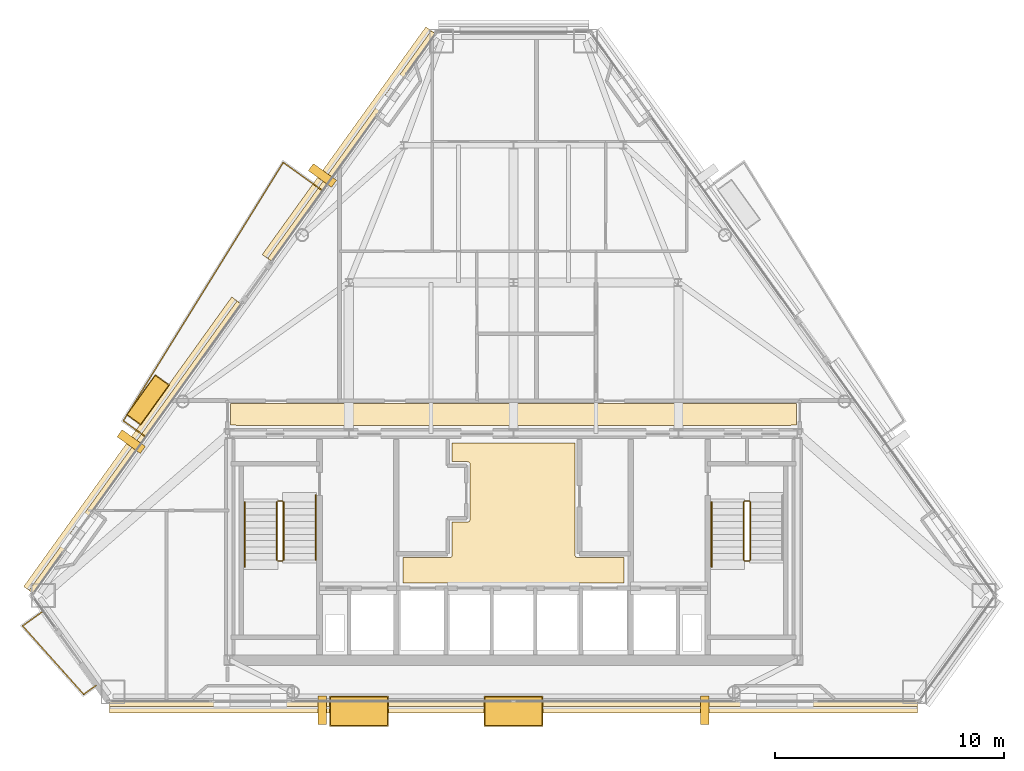
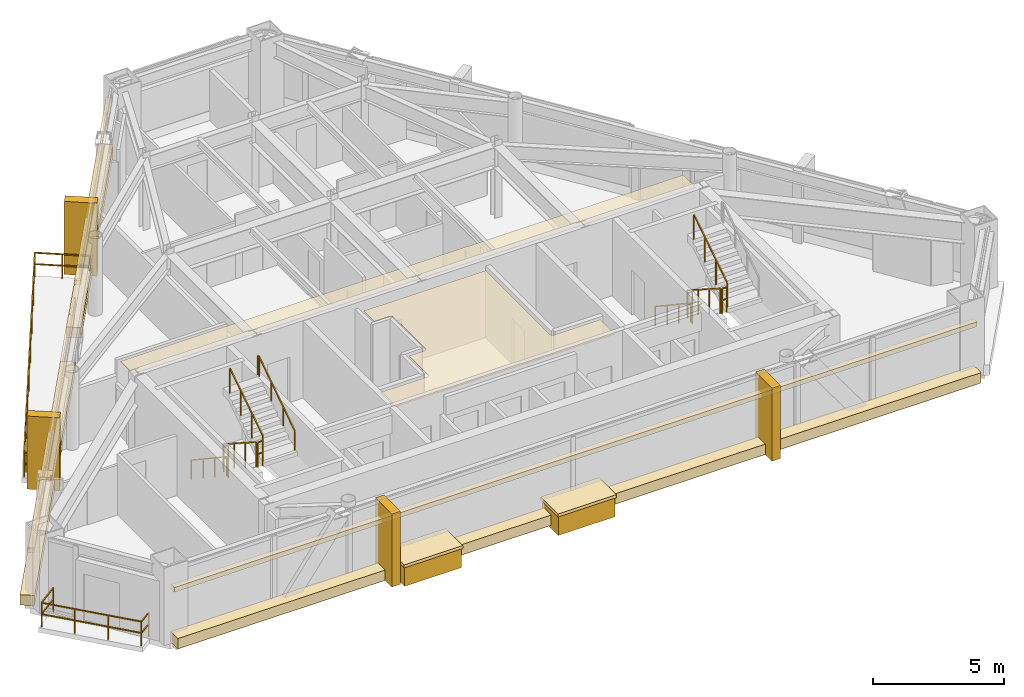
# One storey, part 10 of 11: 18 coverings, 13 railings.
"""IFC4 building model written with IfcOpenShell, lengths in metres."""

from ifc_helpers import new_model, si_unit, direction, frame, origin, origin_2d, place, context, subcontext, project, spatial, polyline, rectangle, outline, extrude, material, layer, layer_set, type_object, element, save


model = new_model("IFC4")

# Units and contexts
model_context = context("Model", 3, precision=1e-05, world=origin(), true_north=direction((0.0, 1.0)))
body_context = subcontext(model_context, "Body", "Model", "MODEL_VIEW")
ifc_project = project(units=[si_unit("LENGTHUNIT", "METRE"), si_unit("AREAUNIT", "SQUARE_METRE"), si_unit("VOLUMEUNIT", "CUBIC_METRE"), si_unit("PLANEANGLEUNIT", "RADIAN"), si_unit("MASSUNIT", "GRAM", prefix="KILO")], contexts=[model_context])

# Site, building, storey
site_placement = place(None, origin())
site = spatial("IfcSite", under=ifc_project, at=site_placement, CompositionType="ELEMENT")
building_placement = place(site_placement, origin())
building = spatial("IfcBuilding", under=site, at=building_placement, Name="Talgorran Terracotta Tower", CompositionType="ELEMENT")
storey_placement = place(building_placement, frame((0.0, 0.0, 210.89990234375)))
storey = spatial("IfcBuildingStorey", under=building, at=storey_placement, Name="L55", CompositionType="ELEMENT", Elevation=210.89990234375)

# Coverings
ifc_material_1 = material(Name="Kiln-Fired Terracotta Ochre Ceramic", Category="masonry")
ifc_layer_1 = layer(ifc_material_1, 0.179931640625, Name="COV_BAGUETTE_TERRACOTTA_SCREEN")
ifc_layer_set_1 = layer_set([ifc_layer_1], Name="Kiln-Fired Terracotta Ochre Ceramic")
covering_type_1 = type_object("IfcCoveringType", Name="COV_BAGUETTE_TERRACOTTA_SCREEN", PredefinedType="CLADDING", material=ifc_layer_set_1)
covering_1_placement = place(storey_placement, frame((0.0, -15.99658203125, 2.41015625), z_axis=(0.0, 0.0, 1.0), x_axis=(1.0, 0.0, 0.0)))
element("IfcCovering", 1, at=covering_1_placement, inside=storey, type_object=covering_type_1, Name="L55 Terracotta Baguette Solar Screen Assembly F1", PredefinedType="CLADDING", context=body_context, shape_type="SweptSolid", body=[
    extrude(rectangle(XDim=35.291748046875, YDim=0.260009765625, at=origin_2d()), origin(), (0.0, 0.0, 1.0), 0.219970703125),
])
covering_2_placement = place(storey_placement, frame((-7.0654296875, 8.350341796875, 2.41015625), z_axis=(0.0, 0.0, 1.0), x_axis=(-0.583555384799, -0.812073342053, 0.0)))
element("IfcCovering", 2, at=covering_2_placement, inside=storey, type_object=covering_type_1, Name="L55 Terracotta Baguette Solar Screen Assembly F60", PredefinedType="CLADDING", context=body_context, shape_type="SweptSolid", body=[
    extrude(rectangle(XDim=12.236083984375, YDim=0.260009765625, at=origin_2d()), origin(), (0.0, 0.0, 1.0), 0.219970703125),
])
covering_3_placement = place(storey_placement, frame((-16.517822265625, -4.8037109375, 2.41015625), z_axis=(0.0, 0.0, 1.0), x_axis=(-0.583555384799, -0.812073342053, 0.0)))
element("IfcCovering", 3, at=covering_3_placement, inside=storey, type_object=covering_type_1, Name="L55 Terracotta Baguette Solar Screen Assembly F61", PredefinedType="CLADDING", context=body_context, shape_type="SweptSolid", body=[
    extrude(rectangle(XDim=15.560302734375, YDim=0.260009765625, at=origin_2d()), origin(), (0.0, 0.0, 1.0), 0.219970703125),
])
ifc_material_2 = material(Name="Mineral Fibre Acoustic Tile")
ifc_layer_2 = layer(ifc_material_2, 0.02490234375, Name="COV_CEIL_ACOUSTIC")
ifc_layer_set_2 = layer_set([ifc_layer_2], Name="Mineral Fibre Acoustic Tile")
covering_type_2 = type_object("IfcCoveringType", Name="COV_CEIL_ACOUSTIC", PredefinedType="CEILING", material=ifc_layer_set_2)
covering_4_placement = place(storey_placement, frame((0.0, 0.0, 3.255126953125)))
element("IfcCovering", 4, at=covering_4_placement, inside=storey, type_object=covering_type_2, Name="CEIL-L55-2", PredefinedType="CEILING", context=body_context, shape_type="SweptSolid", body=[
    extrude(outline(polyline([(-12.364990234375, -2.885009765625), (12.364990234375, -2.885009765625), (12.364990234375, -3.830078125), (12.169921875, -3.830078125), (12.158203125, -3.83056640625), (12.146484375, -3.832275390625), (12.13525390625, -3.835205078125), (12.1240234375, -3.839111328125), (12.11328125, -3.84423828125), (12.112060546875, -3.844970703125), (7.432861328125, -3.844970703125), (6.968017578125, -3.843017578125), (6.967529296875, -3.843017578125), (0.232666015625, -3.844970703125), (-0.23193359375, -3.843017578125), (-0.232421875, -3.843017578125), (-6.96728515625, -3.844970703125), (-7.431884765625, -3.843017578125), (-7.4326171875, -3.843017578125), (-12.112060546875, -3.844970703125), (-12.11328125, -3.84423828125), (-12.1240234375, -3.839111328125), (-12.13525390625, -3.835205078125), (-12.146484375, -3.832275390625), (-12.158203125, -3.83056640625), (-12.169921875, -3.830078125), (-12.364990234375, -3.830078125), (-12.364990234375, -2.885009765625)])), origin(), (0.0, 0.0, 1.0), 0.02001953125),
])
ifc_material_3 = material(Name="Flush Moisture-Resistant Plaster")
ifc_layer_3 = layer(ifc_material_3, 0.01806640625, Name="COV_CEIL_PLASTER")
ifc_layer_set_3 = layer_set([ifc_layer_3], Name="Flush Moisture-Resistant Plaster")
covering_type_3 = type_object("IfcCoveringType", Name="COV_CEIL_PLASTER", PredefinedType="CEILING", material=ifc_layer_set_3)
covering_5_placement = place(storey_placement, frame((0.0, 0.0, 3.255126953125)))
element("IfcCovering", 5, at=covering_5_placement, inside=storey, type_object=covering_type_3, Name="CEIL-L55-1", PredefinedType="CEILING", context=body_context, shape_type="SweptSolid", body=[
    extrude(outline(polyline([(2.679931640625, -4.6201171875), (2.679931640625, -9.5), (2.6806640625, -9.51171875), (2.682373046875, -9.5234375), (2.685302734375, -9.534912109375), (2.689208984375, -9.5458984375), (2.694091796875, -9.556640625), (2.7001953125, -9.566650390625), (2.707275390625, -9.576171875), (2.715087890625, -9.5849609375), (2.723876953125, -9.5927734375), (2.7333984375, -9.599853515625), (2.743408203125, -9.605712890625), (2.754150390625, -9.61083984375), (2.76513671875, -9.61474609375), (2.776611328125, -9.61767578125), (2.7880859375, -9.619384765625), (2.800048828125, -9.6201171875), (4.830078125, -9.6201171875), (4.830078125, -10.72998046875), (-4.830078125, -10.72998046875), (-4.830078125, -9.6201171875), (-2.800048828125, -9.6201171875), (-2.7880859375, -9.619384765625), (-2.776611328125, -9.61767578125), (-2.76513671875, -9.61474609375), (-2.754150390625, -9.61083984375), (-2.743408203125, -9.605712890625), (-2.7333984375, -9.599853515625), (-2.723876953125, -9.5927734375), (-2.715087890625, -9.5849609375), (-2.707275390625, -9.576171875), (-2.7001953125, -9.566650390625), (-2.694091796875, -9.556640625), (-2.689208984375, -9.5458984375), (-2.685302734375, -9.534912109375), (-2.682373046875, -9.5234375), (-2.6806640625, -9.51171875), (-2.679931640625, -9.5), (-2.679931640625, -8.070068359375), (-2.02001953125, -8.070068359375), (-2.00830078125, -8.0693359375), (-1.99658203125, -8.067626953125), (-1.985107421875, -8.064697265625), (-1.97412109375, -8.060791015625), (-1.96337890625, -8.055908203125), (-1.953369140625, -8.0498046875), (-1.94384765625, -8.042724609375), (-1.93505859375, -8.034912109375), (-1.92724609375, -8.026123046875), (-1.920166015625, -8.0166015625), (-1.914306640625, -8.006591796875), (-1.9091796875, -7.995849609375), (-1.9052734375, -7.98486328125), (-1.90234375, -7.973388671875), (-1.900634765625, -7.9619140625), (-1.89990234375, -7.949951171875), (-1.89990234375, -5.550048828125), (-1.900634765625, -5.5380859375), (-1.90234375, -5.526611328125), (-1.9052734375, -5.51513671875), (-1.9091796875, -5.504150390625), (-1.914306640625, -5.493408203125), (-1.920166015625, -5.4833984375), (-1.92724609375, -5.473876953125), (-1.93505859375, -5.465087890625), (-1.94384765625, -5.457275390625), (-1.953369140625, -5.4501953125), (-1.96337890625, -5.444091796875), (-1.97412109375, -5.439208984375), (-1.985107421875, -5.435302734375), (-1.99658203125, -5.432373046875), (-2.00830078125, -5.4306640625), (-2.02001953125, -5.429931640625), (-2.679931640625, -5.429931640625), (-2.679931640625, -4.6201171875), (2.679931640625, -4.6201171875)])), origin(), (0.0, 0.0, 1.0), 0.02001953125),
])
ifc_material_4 = material(Name="Honed Limestone and Terracotta Planter", Category="masonry")
ifc_layer_4 = layer(ifc_material_4, 0.1201171875, Name="COV_PLANTER_BOX")
ifc_layer_set_4 = layer_set([ifc_layer_4], Name="Honed Limestone and Terracotta Planter")
covering_type_4 = type_object("IfcCoveringType", Name="COV_PLANTER_BOX", PredefinedType="CLADDING", material=ifc_layer_set_4)
for number, where, z_axis, x_axis, name in (
    (6, (-6.75537109375, -16.336669921875, -0.179931640625), (0.0, 0.0, 1.0), (1.0, 0.0, 0.0), "L55 Staggered South Facade Planter Box 1"),
    (7, (0.0, -16.336669921875, -0.179931640625), (0.0, 0.0, 1.0), (1.0, 0.0, 0.0), "L55 Staggered South Facade Planter Box 2"),
):
    element("IfcCovering", number, at=place(storey_placement, frame(where, z_axis=z_axis, x_axis=x_axis)), inside=storey, type_object=covering_type_4, Name=name, PredefinedType="CLADDING", context=body_context, shape_type="SweptSolid", body=[
        extrude(rectangle(XDim=2.5, YDim=1.25, at=origin_2d()), origin(), (0.0, 0.0, 1.0), 0.919921875),
    ])
covering_6_placement = place(storey_placement, frame((-15.973876953125, -2.7275390625, -0.02001953125), z_axis=(0.0, 0.0, 1.0), x_axis=(-0.583555384799, -0.812073342053, 0.0)))
element("IfcCovering", 8, at=covering_6_placement, inside=storey, type_object=covering_type_4, Name="L55 Staggered Balcony Planter Box BAL-NW", PredefinedType="CLADDING", context=body_context, shape_type="SweptSolid", body=[
    extrude(rectangle(XDim=2.10009765625, YDim=0.719970703125, at=origin_2d()), origin(), (0.0, 0.0, 1.0), 0.860107421875),
])
ifc_material_5 = material(Name="Kiln-Fired Terracotta Planter Rim", Category="masonry")
ifc_layer_5 = layer(ifc_material_5, 0.10009765625, Name="COV_PLANTER_RIM")
ifc_layer_set_5 = layer_set([ifc_layer_5], Name="Kiln-Fired Terracotta Planter Rim")
covering_type_5 = type_object("IfcCoveringType", Name="COV_PLANTER_RIM", PredefinedType="CLADDING", material=ifc_layer_set_5)
for number, where, z_axis, x_axis, name in (
    (9, (-6.75537109375, -16.336669921875, 0.7099609375), (0.0, 0.0, 1.0), (1.0, 0.0, 0.0), "L55 South Planter Terracotta Rim 1"),
    (10, (0.0, -16.336669921875, 0.7099609375), (0.0, 0.0, 1.0), (1.0, 0.0, 0.0), "L55 South Planter Terracotta Rim 2"),
):
    element("IfcCovering", number, at=place(storey_placement, frame(where, z_axis=z_axis, x_axis=x_axis)), inside=storey, type_object=covering_type_5, Name=name, PredefinedType="CLADDING", context=body_context, shape_type="SweptSolid", body=[
        extrude(rectangle(XDim=2.580078125, YDim=1.320068359375, at=origin_2d()), origin(), (0.0, 0.0, 1.0), 0.139892578125),
    ])
covering_7_placement = place(storey_placement, frame((-15.973876953125, -2.7275390625, 0.800048828125), z_axis=(0.0, 0.0, 1.0), x_axis=(-0.583555384799, -0.812073342053, 0.0)))
element("IfcCovering", 11, at=covering_7_placement, inside=storey, type_object=covering_type_5, Name="L55 Balcony Planter Terracotta Rim BAL-NW", PredefinedType="CLADDING", context=body_context, shape_type="SweptSolid", body=[
    extrude(rectangle(XDim=2.179931640625, YDim=0.780029296875, at=origin_2d()), origin(), (0.0, 0.0, 1.0), 0.1201171875),
])
ifc_material_6 = material(Name="Honed Limestone Cladding", Category="masonry")
ifc_layer_6 = layer(ifc_material_6, 0.094970703125, Name="COV_PORTAL_LIME")
ifc_layer_set_6 = layer_set([ifc_layer_6], Name="Honed Limestone Cladding")
covering_type_6 = type_object("IfcCoveringType", Name="COV_PORTAL_LIME", PredefinedType="CLADDING", material=ifc_layer_set_6)
for number, where, z_axis, x_axis, name in (
    (12, (-8.35546875, -16.296630859375, -0.0498046875), (0.0, 0.0, 1.0), (1.0, 0.0, 0.0), "L55 White Striped Portal Fin F1-1"),
    (13, (-8.349609375, 7.0771484375, -0.0498046875), (0.0, 0.0, 1.0), (-0.583555384799, -0.812073342053, 0.0), "L55 White Striped Portal Fin F5-1"),
):
    element("IfcCovering", number, at=place(storey_placement, frame(where, z_axis=z_axis, x_axis=x_axis)), inside=storey, type_object=covering_type_6, Name=name, PredefinedType="CLADDING", context=body_context, shape_type="SweptSolid", body=[
        extrude(rectangle(XDim=0.3798828125, YDim=1.25, at=origin_2d()), origin(), (0.0, 0.0, 1.0), 3.39501953125),
    ])
ifc_material_7 = material(Name="Kiln-Fired Terracotta Cladding", Category="masonry")
ifc_layer_7 = layer(ifc_material_7, 0.090087890625, Name="COV_PORTAL_TERRA")
ifc_layer_set_7 = layer_set([ifc_layer_7], Name="Kiln-Fired Terracotta Cladding")
covering_type_7 = type_object("IfcCoveringType", Name="COV_PORTAL_TERRA", PredefinedType="CLADDING", material=ifc_layer_set_7)
covering_8_placement = place(storey_placement, frame((0.0, -16.13671875, -0.039794921875), z_axis=(0.0, 0.0, 1.0), x_axis=(1.0, 0.0, 0.0)))
element("IfcCovering", 14, at=covering_8_placement, inside=storey, type_object=covering_type_7, Name="L55 Striped Postmodern Portal Cladding Band F1", PredefinedType="CLADDING", context=body_context, shape_type="SweptSolid", body=[
    extrude(rectangle(XDim=35.311767578125, YDim=0.56005859375, at=origin_2d()), origin(), (0.0, 0.0, 1.0), 0.47998046875),
])
covering_9_placement = place(storey_placement, frame((-7.178955078125, 8.43212890625, -0.039794921875), z_axis=(0.0, 0.0, 1.0), x_axis=(-0.583555384799, -0.812073342053, 0.0)))
element("IfcCovering", 15, at=covering_9_placement, inside=storey, type_object=covering_type_7, Name="L55 Striped Postmodern Portal Cladding Band F60", PredefinedType="CLADDING", context=body_context, shape_type="SweptSolid", body=[
    extrude(rectangle(XDim=12.256103515625, YDim=0.56005859375, at=origin_2d()), origin(), (0.0, 0.0, 1.0), 0.47998046875),
])
covering_10_placement = place(storey_placement, frame((-16.631591796875, -4.72216796875, -0.039794921875), z_axis=(0.0, 0.0, 1.0), x_axis=(-0.583555384799, -0.812073342053, 0.0)))
element("IfcCovering", 16, at=covering_10_placement, inside=storey, type_object=covering_type_7, Name="L55 Striped Postmodern Portal Cladding Band F61", PredefinedType="CLADDING", context=body_context, shape_type="SweptSolid", body=[
    extrude(rectangle(XDim=15.580322265625, YDim=0.56005859375, at=origin_2d()), origin(), (0.0, 0.0, 1.0), 0.47998046875),
])
for number, where, z_axis, x_axis, name in (
    (17, (8.35546875, -16.296630859375, -0.0498046875), (0.0, 0.0, 1.0), (1.0, 0.0, 0.0), "L55 Terracotta Striped Portal Fin F1-2"),
    (18, (-16.705078125, -4.55029296875, -0.0498046875), (0.0, 0.0, 1.0), (-0.583555384799, -0.812073342053, 0.0), "L55 Terracotta Striped Portal Fin F5-2"),
):
    element("IfcCovering", number, at=place(storey_placement, frame(where, z_axis=z_axis, x_axis=x_axis)), inside=storey, type_object=covering_type_7, Name=name, PredefinedType="CLADDING", context=body_context, shape_type="SweptSolid", body=[
        extrude(rectangle(XDim=0.3798828125, YDim=1.25, at=origin_2d()), origin(), (0.0, 0.0, 1.0), 3.39501953125),
    ])

# Railings
ifc_material_8 = material(Name="Laminated Glass and Stainless Steel 316", Category="steel")
railing_type_1 = type_object("IfcRailingType", Name="RL_BALCONY_1150", PredefinedType="BALUSTRADE", material=ifc_material_8)
railing_1_placement = place(storey_placement, frame((-8.3544921875, 6.419189453125, 0.0)))
element("IfcRailing", 19, at=railing_1_placement, inside=storey, type_object=railing_type_1, Name="RL-L55-BAL-BAL-NW", PredefinedType="BALUSTRADE", context=body_context, shape_type="SweptSolid", body=[
    extrude(rectangle(XDim=0.048095703125, YDim=0.048095703125, at=origin_2d()), frame((0.0, 0.0, 1.1259765625), z_axis=(-0.812066955595, 0.583564272065, 0.0), x_axis=(-0.583564272065, -0.812066955595, 0.0)), (0.0, 0.0, 1.0), 2.102783203125),
    extrude(rectangle(XDim=0.048095703125, YDim=0.048095703125, at=origin_2d()), frame((0.0, 0.0, 0.597900390625), z_axis=(-0.812066955595, 0.583564272065, 0.0), x_axis=(-0.583564272065, -0.812066955595, 0.0)), (0.0, 0.0, 1.0), 2.102783203125),
    extrude(rectangle(XDim=0.048095703125, YDim=0.048095703125, at=origin_2d()), frame((-1.70751953125, 1.22705078125, 1.1259765625), z_axis=(-0.526168473282, -0.850380348858, 0.0), x_axis=(0.850380348858, -0.526168473282, 0.0)), (0.0, 0.0, 1.0), 13.27587890625),
    extrude(rectangle(XDim=0.048095703125, YDim=0.048095703125, at=origin_2d()), frame((-1.70751953125, 1.22705078125, 0.597900390625), z_axis=(-0.526168473282, -0.850380348858, 0.0), x_axis=(0.850380348858, -0.526168473282, 0.0)), (0.0, 0.0, 1.0), 13.27587890625),
    extrude(rectangle(XDim=0.048095703125, YDim=0.048095703125, at=origin_2d()), frame((-8.69287109375, -10.0625, 1.1259765625), z_axis=(0.812216313414, -0.583356374976, 0.0), x_axis=(0.583356374976, 0.812216313414, 0.0)), (0.0, 0.0, 1.0), 1.187255859375),
    extrude(rectangle(XDim=0.048095703125, YDim=0.048095703125, at=origin_2d()), frame((-8.69287109375, -10.0625, 0.597900390625), z_axis=(0.812216313414, -0.583356374976, 0.0), x_axis=(0.583356374976, 0.812216313414, 0.0)), (0.0, 0.0, 1.0), 1.187255859375),
    extrude(rectangle(XDim=0.0419921875, YDim=0.0419921875, at=origin_2d()), origin(), (0.0, 0.0, 1.0), 1.101806640625),
    extrude(rectangle(XDim=0.0419921875, YDim=0.0419921875, at=origin_2d()), frame((-0.853759765625, 0.613525390625, 0.0)), (0.0, 0.0, 1.0), 1.101806640625),
    extrude(rectangle(XDim=0.0419921875, YDim=0.0419921875, at=origin_2d()), frame((-1.70751953125, 1.22705078125, 0.0)), (0.0, 0.0, 1.0), 1.101806640625),
    extrude(rectangle(XDim=0.0419921875, YDim=0.0419921875, at=origin_2d()), frame((-2.705322265625, -0.3857421875, 0.0)), (0.0, 0.0, 1.0), 1.101806640625),
    extrude(rectangle(XDim=0.0419921875, YDim=0.0419921875, at=origin_2d()), frame((-3.703369140625, -1.99853515625, 0.0)), (0.0, 0.0, 1.0), 1.101806640625),
    extrude(rectangle(XDim=0.0419921875, YDim=0.0419921875, at=origin_2d()), frame((-4.701171875, -3.611328125, 0.0)), (0.0, 0.0, 1.0), 1.101806640625),
    extrude(rectangle(XDim=0.0419921875, YDim=0.0419921875, at=origin_2d()), frame((-5.69921875, -5.22412109375, 0.0)), (0.0, 0.0, 1.0), 1.101806640625),
    extrude(rectangle(XDim=0.0419921875, YDim=0.0419921875, at=origin_2d()), frame((-6.697021484375, -6.8369140625, 0.0)), (0.0, 0.0, 1.0), 1.101806640625),
    extrude(rectangle(XDim=0.0419921875, YDim=0.0419921875, at=origin_2d()), frame((-7.695068359375, -8.44970703125, 0.0)), (0.0, 0.0, 1.0), 1.101806640625),
    extrude(rectangle(XDim=0.0419921875, YDim=0.0419921875, at=origin_2d()), frame((-8.69287109375, -10.0625, 0.0)), (0.0, 0.0, 1.0), 1.101806640625),
    extrude(rectangle(XDim=0.0419921875, YDim=0.0419921875, at=origin_2d()), frame((-7.728515625, -10.755126953125, 0.0)), (0.0, 0.0, 1.0), 1.101806640625),
])
railing_2_placement = place(storey_placement, frame((-20.564697265625, -11.966552734375, 0.0)))
element("IfcRailing", 20, at=railing_2_placement, inside=storey, type_object=railing_type_1, Name="RL-L55-BAL-BAL-SW", PredefinedType="BALUSTRADE", context=body_context, shape_type="SweptSolid", body=[
    extrude(rectangle(XDim=0.048095703125, YDim=0.048095703125, at=origin_2d()), frame((0.0, 0.0, 1.1259765625), z_axis=(-0.812055061122, -0.583580823628, 0.0), x_axis=(0.583580823628, -0.812055061122, 0.0)), (0.0, 0.0, 1.0), 1.09326171875),
    extrude(rectangle(XDim=0.048095703125, YDim=0.048095703125, at=origin_2d()), frame((0.0, 0.0, 0.597900390625), z_axis=(-0.812055061122, -0.583580823628, 0.0), x_axis=(0.583580823628, -0.812055061122, 0.0)), (0.0, 0.0, 1.0), 1.09326171875),
    extrude(rectangle(XDim=0.048095703125, YDim=0.048095703125, at=origin_2d()), frame((-0.8876953125, -0.637939453125, 1.1259765625), z_axis=(0.665920133286, -0.746023039915, 0.0), x_axis=(0.746023039915, 0.665920133286, 0.0)), (0.0, 0.0, 1.0), 4.0078125),
    extrude(rectangle(XDim=0.048095703125, YDim=0.048095703125, at=origin_2d()), frame((-0.8876953125, -0.637939453125, 0.597900390625), z_axis=(0.665920133286, -0.746023039915, 0.0), x_axis=(0.746023039915, 0.665920133286, 0.0)), (0.0, 0.0, 1.0), 4.0078125),
    extrude(rectangle(XDim=0.048095703125, YDim=0.048095703125, at=origin_2d()), frame((1.78125, -3.6279296875, 1.1259765625), z_axis=(0.811983014476, 0.583681063769, 0.0), x_axis=(-0.583681063769, 0.811983014476, 0.0)), (0.0, 0.0, 1.0), 0.67041015625),
    extrude(rectangle(XDim=0.048095703125, YDim=0.048095703125, at=origin_2d()), frame((1.78125, -3.6279296875, 0.597900390625), z_axis=(0.811983014476, 0.583681063769, 0.0), x_axis=(-0.583681063769, 0.811983014476, 0.0)), (0.0, 0.0, 1.0), 0.67041015625),
    extrude(rectangle(XDim=0.0419921875, YDim=0.0419921875, at=origin_2d()), origin(), (0.0, 0.0, 1.0), 1.101806640625),
    extrude(rectangle(XDim=0.0419921875, YDim=0.0419921875, at=origin_2d()), frame((-0.8876953125, -0.637939453125, 0.0)), (0.0, 0.0, 1.0), 1.101806640625),
    extrude(rectangle(XDim=0.0419921875, YDim=0.0419921875, at=origin_2d()), frame((0.001953125, -1.634521484375, 0.0)), (0.0, 0.0, 1.0), 1.101806640625),
    extrude(rectangle(XDim=0.0419921875, YDim=0.0419921875, at=origin_2d()), frame((0.8916015625, -2.63134765625, 0.0)), (0.0, 0.0, 1.0), 1.101806640625),
    extrude(rectangle(XDim=0.0419921875, YDim=0.0419921875, at=origin_2d()), frame((1.78125, -3.6279296875, 0.0)), (0.0, 0.0, 1.0), 1.101806640625),
    extrude(rectangle(XDim=0.0419921875, YDim=0.0419921875, at=origin_2d()), frame((2.32568359375, -3.236572265625, 0.0)), (0.0, 0.0, 1.0), 1.101806640625),
])
ifc_material_9 = material(Name="Steel S355 (300PLUS)", Category="steel")
railing_type_2 = type_object("IfcRailingType", Name="RL_HANDRAIL_920", PredefinedType="HANDRAIL", material=ifc_material_9)
railing_3_placement = place(storey_placement, frame((-11.75, -7.199951171875, 0.18017578125)))
element("IfcRailing", 21, at=railing_3_placement, inside=storey, type_object=railing_type_2, Name="L55 ST-01 stair handrail 1", PredefinedType="HANDRAIL", context=body_context, shape_type="SweptSolid", body=[
    extrude(rectangle(XDim=0.048095703125, YDim=0.048095703125, at=origin_2d()), frame((0.0, 0.0, 0.89599609375), z_axis=(0.0, -0.832073444223, 0.554665469827), x_axis=(1.0, 0.0, 0.0)), (0.0, 0.0, 1.0), 3.244873046875),
    extrude(rectangle(XDim=0.048095703125, YDim=0.048095703125, at=origin_2d()), frame((0.0, -2.699951171875, 2.69580078125), z_axis=(0.0, -1.0, 0.0), x_axis=(1.0, 0.0, 0.0)), (0.0, 0.0, 1.0), 0.1201171875),
    extrude(rectangle(XDim=0.0419921875, YDim=0.0419921875, at=origin_2d()), origin(), (0.0, 0.0, 1.0), 0.871826171875),
    extrude(rectangle(XDim=0.0419921875, YDim=0.0419921875, at=origin_2d()), frame((0.0, -0.89990234375, 0.599853515625)), (0.0, 0.0, 1.0), 0.871826171875),
    extrude(rectangle(XDim=0.0419921875, YDim=0.0419921875, at=origin_2d()), frame((0.0, -1.800048828125, 1.199951171875)), (0.0, 0.0, 1.0), 0.871826171875),
    extrude(rectangle(XDim=0.0419921875, YDim=0.0419921875, at=origin_2d()), frame((0.0, -2.699951171875, 1.7998046875)), (0.0, 0.0, 1.0), 0.871826171875),
    extrude(rectangle(XDim=0.0419921875, YDim=0.0419921875, at=origin_2d()), frame((0.0, -2.820068359375, 1.7998046875)), (0.0, 0.0, 1.0), 0.871826171875),
])
railing_4_placement = place(storey_placement, frame((-8.64990234375, -9.719970703125, 1.97998046875)))
element("IfcRailing", 22, at=railing_4_placement, inside=storey, type_object=railing_type_2, Name="L55 ST-01 stair handrail 2", PredefinedType="HANDRAIL", context=body_context, shape_type="SweptSolid", body=[
    extrude(rectangle(XDim=0.048095703125, YDim=0.048095703125, at=origin_2d()), frame((0.0, 0.0, 0.89599609375), z_axis=(0.0, 0.832038719335, 0.554717558338), x_axis=(-1.0, 0.0, 0.0)), (0.0, 0.0, 1.0), 3.244873046875),
    extrude(rectangle(XDim=0.048095703125, YDim=0.048095703125, at=origin_2d()), frame((0.0, 2.699951171875, 2.69580078125), z_axis=(0.0, 1.0, 0.0), x_axis=(-1.0, 0.0, 0.0)), (0.0, 0.0, 1.0), 0.1201171875),
    extrude(rectangle(XDim=0.0419921875, YDim=0.0419921875, at=origin_2d()), origin(), (0.0, 0.0, 1.0), 0.871826171875),
    extrude(rectangle(XDim=0.0419921875, YDim=0.0419921875, at=origin_2d()), frame((0.0, 0.89990234375, 0.60009765625)), (0.0, 0.0, 1.0), 0.871826171875),
    extrude(rectangle(XDim=0.0419921875, YDim=0.0419921875, at=origin_2d()), frame((0.0, 1.800048828125, 1.199951171875)), (0.0, 0.0, 1.0), 0.871826171875),
    extrude(rectangle(XDim=0.0419921875, YDim=0.0419921875, at=origin_2d()), frame((0.0, 2.699951171875, 1.800048828125)), (0.0, 0.0, 1.0), 0.871826171875),
    extrude(rectangle(XDim=0.0419921875, YDim=0.0419921875, at=origin_2d()), frame((0.0, 2.820068359375, 1.800048828125)), (0.0, 0.0, 1.0), 0.871826171875),
])
railing_5_placement = place(storey_placement, frame((8.64990234375, -7.199951171875, 0.18017578125)))
element("IfcRailing", 23, at=railing_5_placement, inside=storey, type_object=railing_type_2, Name="L55 ST-02 stair handrail 1", PredefinedType="HANDRAIL", context=body_context, shape_type="SweptSolid", body=[
    extrude(rectangle(XDim=0.048095703125, YDim=0.048095703125, at=origin_2d()), frame((0.0, 0.0, 0.89599609375), z_axis=(0.0, -0.832073444223, 0.554665469827), x_axis=(1.0, 0.0, 0.0)), (0.0, 0.0, 1.0), 3.244873046875),
    extrude(rectangle(XDim=0.048095703125, YDim=0.048095703125, at=origin_2d()), frame((0.0, -2.699951171875, 2.69580078125), z_axis=(0.0, -1.0, 0.0), x_axis=(1.0, 0.0, 0.0)), (0.0, 0.0, 1.0), 0.1201171875),
    extrude(rectangle(XDim=0.0419921875, YDim=0.0419921875, at=origin_2d()), origin(), (0.0, 0.0, 1.0), 0.871826171875),
    extrude(rectangle(XDim=0.0419921875, YDim=0.0419921875, at=origin_2d()), frame((0.0, -0.89990234375, 0.599853515625)), (0.0, 0.0, 1.0), 0.871826171875),
    extrude(rectangle(XDim=0.0419921875, YDim=0.0419921875, at=origin_2d()), frame((0.0, -1.800048828125, 1.199951171875)), (0.0, 0.0, 1.0), 0.871826171875),
    extrude(rectangle(XDim=0.0419921875, YDim=0.0419921875, at=origin_2d()), frame((0.0, -2.699951171875, 1.7998046875)), (0.0, 0.0, 1.0), 0.871826171875),
    extrude(rectangle(XDim=0.0419921875, YDim=0.0419921875, at=origin_2d()), frame((0.0, -2.820068359375, 1.7998046875)), (0.0, 0.0, 1.0), 0.871826171875),
])
railing_type_3 = type_object("IfcRailingType", Name="RL_STAIR_GUARD", PredefinedType="GUARDRAIL", material=ifc_material_9)
railing_6_placement = place(storey_placement, frame((-10.35009765625, -7.199951171875, 0.18017578125)))
element("IfcRailing", 24, at=railing_6_placement, inside=storey, type_object=railing_type_3, Name="L55 ST-01 stair guard 1", PredefinedType="GUARDRAIL", context=body_context, shape_type="SweptSolid", body=[
    extrude(rectangle(XDim=0.048095703125, YDim=0.048095703125, at=origin_2d()), frame((0.0, 0.0, 1.15576171875), z_axis=(0.0, -0.841199657755, 0.540724639528), x_axis=(1.0, 0.0, 0.0)), (0.0, 0.0, 1.0), 2.995849609375),
    extrude(rectangle(XDim=0.0419921875, YDim=0.0419921875, at=origin_2d()), origin(), (0.0, 0.0, 1.0), 1.1318359375),
    extrude(rectangle(XDim=0.0419921875, YDim=0.0419921875, at=origin_2d()), frame((0.0, -0.840087890625, 0.5400390625)), (0.0, 0.0, 1.0), 1.1318359375),
    extrude(rectangle(XDim=0.0419921875, YDim=0.0419921875, at=origin_2d()), frame((0.0, -1.679931640625, 1.079833984375)), (0.0, 0.0, 1.0), 1.1318359375),
    extrude(rectangle(XDim=0.0419921875, YDim=0.0419921875, at=origin_2d()), frame((0.0, -2.52001953125, 1.619873046875)), (0.0, 0.0, 1.0), 1.1318359375),
])
railing_7_placement = place(storey_placement, frame((-10.300048828125, -9.77001953125, 1.800048828125)))
element("IfcRailing", 25, at=railing_7_placement, inside=storey, type_object=railing_type_3, Name="L55 ST-01 stair guard 2", PredefinedType="GUARDRAIL", context=body_context, shape_type="SweptSolid", body=[
    extrude(rectangle(XDim=0.048095703125, YDim=0.048095703125, at=origin_2d()), frame((0.0, 0.0, 1.15576171875), z_axis=(1.0, 0.0, 0.0), x_axis=(0.0, 1.0, 0.0)), (0.0, 0.0, 1.0), 0.199951171875),
    extrude(rectangle(XDim=0.048095703125, YDim=0.048095703125, at=origin_2d()), frame((0.0, 0.0, 0.613525390625), z_axis=(1.0, 0.0, 0.0), x_axis=(0.0, 1.0, 0.0)), (0.0, 0.0, 1.0), 0.199951171875),
    extrude(rectangle(XDim=0.0419921875, YDim=0.0419921875, at=origin_2d()), origin(), (0.0, 0.0, 1.0), 1.1318359375),
    extrude(rectangle(XDim=0.0419921875, YDim=0.0419921875, at=origin_2d()), frame((0.199951171875, 0.0, 0.0)), (0.0, 0.0, 1.0), 1.1318359375),
])
railing_8_placement = place(storey_placement, frame((-10.050048828125, -9.719970703125, 1.97998046875)))
element("IfcRailing", 26, at=railing_8_placement, inside=storey, type_object=railing_type_3, Name="L55 ST-01 stair guard 3", PredefinedType="GUARDRAIL", context=body_context, shape_type="SweptSolid", body=[
    extrude(rectangle(XDim=0.048095703125, YDim=0.048095703125, at=origin_2d()), frame((0.0, 0.0, 1.15576171875), z_axis=(0.0, 0.841162588446, 0.540782303519), x_axis=(-1.0, 0.0, 0.0)), (0.0, 0.0, 1.0), 2.995849609375),
    extrude(rectangle(XDim=0.0419921875, YDim=0.0419921875, at=origin_2d()), origin(), (0.0, 0.0, 1.0), 1.1318359375),
    extrude(rectangle(XDim=0.0419921875, YDim=0.0419921875, at=origin_2d()), frame((0.0, 0.840087890625, 0.5400390625)), (0.0, 0.0, 1.0), 1.1318359375),
    extrude(rectangle(XDim=0.0419921875, YDim=0.0419921875, at=origin_2d()), frame((0.0, 1.679931640625, 1.080078125)), (0.0, 0.0, 1.0), 1.1318359375),
    extrude(rectangle(XDim=0.0419921875, YDim=0.0419921875, at=origin_2d()), frame((0.0, 2.52001953125, 1.6201171875)), (0.0, 0.0, 1.0), 1.1318359375),
])
railing_9_placement = place(storey_placement, frame((-10.300048828125, -7.14990234375, 0.0)))
element("IfcRailing", 27, at=railing_9_placement, inside=storey, type_object=railing_type_3, Name="L55 ST-01 stair guard 4", PredefinedType="GUARDRAIL", context=body_context, shape_type="SweptSolid", body=[
    extrude(rectangle(XDim=0.048095703125, YDim=0.048095703125, at=origin_2d()), frame((0.0, 0.0, 1.15576171875), z_axis=(1.0, 0.0, 0.0), x_axis=(0.0, 1.0, 0.0)), (0.0, 0.0, 1.0), 0.199951171875),
    extrude(rectangle(XDim=0.048095703125, YDim=0.048095703125, at=origin_2d()), frame((0.0, 0.0, 0.613525390625), z_axis=(1.0, 0.0, 0.0), x_axis=(0.0, 1.0, 0.0)), (0.0, 0.0, 1.0), 0.199951171875),
    extrude(rectangle(XDim=0.0419921875, YDim=0.0419921875, at=origin_2d()), origin(), (0.0, 0.0, 1.0), 1.1318359375),
    extrude(rectangle(XDim=0.0419921875, YDim=0.0419921875, at=origin_2d()), frame((0.199951171875, 0.0, 0.0)), (0.0, 0.0, 1.0), 1.1318359375),
])
railing_10_placement = place(storey_placement, frame((10.050048828125, -7.199951171875, 0.18017578125)))
element("IfcRailing", 28, at=railing_10_placement, inside=storey, type_object=railing_type_3, Name="L55 ST-02 stair guard 1", PredefinedType="GUARDRAIL", context=body_context, shape_type="SweptSolid", body=[
    extrude(rectangle(XDim=0.048095703125, YDim=0.048095703125, at=origin_2d()), frame((0.0, 0.0, 1.15576171875), z_axis=(0.0, -0.841199657755, 0.540724639528), x_axis=(1.0, 0.0, 0.0)), (0.0, 0.0, 1.0), 2.995849609375),
    extrude(rectangle(XDim=0.0419921875, YDim=0.0419921875, at=origin_2d()), origin(), (0.0, 0.0, 1.0), 1.1318359375),
    extrude(rectangle(XDim=0.0419921875, YDim=0.0419921875, at=origin_2d()), frame((0.0, -0.840087890625, 0.5400390625)), (0.0, 0.0, 1.0), 1.1318359375),
    extrude(rectangle(XDim=0.0419921875, YDim=0.0419921875, at=origin_2d()), frame((0.0, -1.679931640625, 1.079833984375)), (0.0, 0.0, 1.0), 1.1318359375),
    extrude(rectangle(XDim=0.0419921875, YDim=0.0419921875, at=origin_2d()), frame((0.0, -2.52001953125, 1.619873046875)), (0.0, 0.0, 1.0), 1.1318359375),
])
railing_11_placement = place(storey_placement, frame((10.10009765625, -9.77001953125, 1.800048828125)))
element("IfcRailing", 29, at=railing_11_placement, inside=storey, type_object=railing_type_3, Name="L55 ST-02 stair guard 2", PredefinedType="GUARDRAIL", context=body_context, shape_type="SweptSolid", body=[
    extrude(rectangle(XDim=0.048095703125, YDim=0.048095703125, at=origin_2d()), frame((0.0, 0.0, 1.15576171875), z_axis=(1.0, 0.0, 0.0), x_axis=(0.0, 1.0, 0.0)), (0.0, 0.0, 1.0), 0.199951171875),
    extrude(rectangle(XDim=0.048095703125, YDim=0.048095703125, at=origin_2d()), frame((0.0, 0.0, 0.613525390625), z_axis=(1.0, 0.0, 0.0), x_axis=(0.0, 1.0, 0.0)), (0.0, 0.0, 1.0), 0.199951171875),
    extrude(rectangle(XDim=0.0419921875, YDim=0.0419921875, at=origin_2d()), origin(), (0.0, 0.0, 1.0), 1.1318359375),
    extrude(rectangle(XDim=0.0419921875, YDim=0.0419921875, at=origin_2d()), frame((0.199951171875, 0.0, 0.0)), (0.0, 0.0, 1.0), 1.1318359375),
])
railing_12_placement = place(storey_placement, frame((10.35009765625, -9.719970703125, 1.97998046875)))
element("IfcRailing", 30, at=railing_12_placement, inside=storey, type_object=railing_type_3, Name="L55 ST-02 stair guard 3", PredefinedType="GUARDRAIL", context=body_context, shape_type="SweptSolid", body=[
    extrude(rectangle(XDim=0.048095703125, YDim=0.048095703125, at=origin_2d()), frame((0.0, 0.0, 1.15576171875), z_axis=(0.0, 0.841162588446, 0.540782303519), x_axis=(-1.0, 0.0, 0.0)), (0.0, 0.0, 1.0), 2.995849609375),
    extrude(rectangle(XDim=0.0419921875, YDim=0.0419921875, at=origin_2d()), origin(), (0.0, 0.0, 1.0), 1.1318359375),
    extrude(rectangle(XDim=0.0419921875, YDim=0.0419921875, at=origin_2d()), frame((0.0, 0.840087890625, 0.5400390625)), (0.0, 0.0, 1.0), 1.1318359375),
    extrude(rectangle(XDim=0.0419921875, YDim=0.0419921875, at=origin_2d()), frame((0.0, 1.679931640625, 1.080078125)), (0.0, 0.0, 1.0), 1.1318359375),
    extrude(rectangle(XDim=0.0419921875, YDim=0.0419921875, at=origin_2d()), frame((0.0, 2.52001953125, 1.6201171875)), (0.0, 0.0, 1.0), 1.1318359375),
])
railing_13_placement = place(storey_placement, frame((10.10009765625, -7.14990234375, 0.0)))
element("IfcRailing", 31, at=railing_13_placement, inside=storey, type_object=railing_type_3, Name="L55 ST-02 stair guard 4", PredefinedType="GUARDRAIL", context=body_context, shape_type="SweptSolid", body=[
    extrude(rectangle(XDim=0.048095703125, YDim=0.048095703125, at=origin_2d()), frame((0.0, 0.0, 1.15576171875), z_axis=(1.0, 0.0, 0.0), x_axis=(0.0, 1.0, 0.0)), (0.0, 0.0, 1.0), 0.199951171875),
    extrude(rectangle(XDim=0.048095703125, YDim=0.048095703125, at=origin_2d()), frame((0.0, 0.0, 0.613525390625), z_axis=(1.0, 0.0, 0.0), x_axis=(0.0, 1.0, 0.0)), (0.0, 0.0, 1.0), 0.199951171875),
    extrude(rectangle(XDim=0.0419921875, YDim=0.0419921875, at=origin_2d()), origin(), (0.0, 0.0, 1.0), 1.1318359375),
    extrude(rectangle(XDim=0.0419921875, YDim=0.0419921875, at=origin_2d()), frame((0.199951171875, 0.0, 0.0)), (0.0, 0.0, 1.0), 1.1318359375),
])

save(model, "model.ifc")
